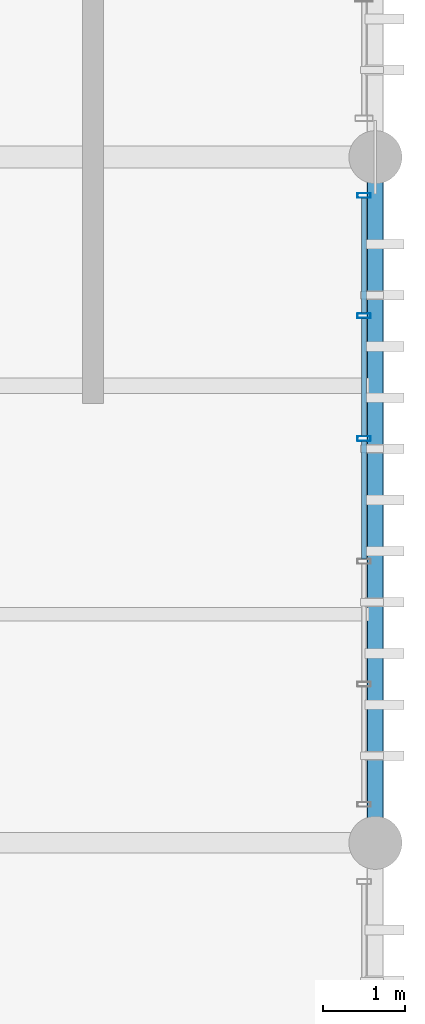
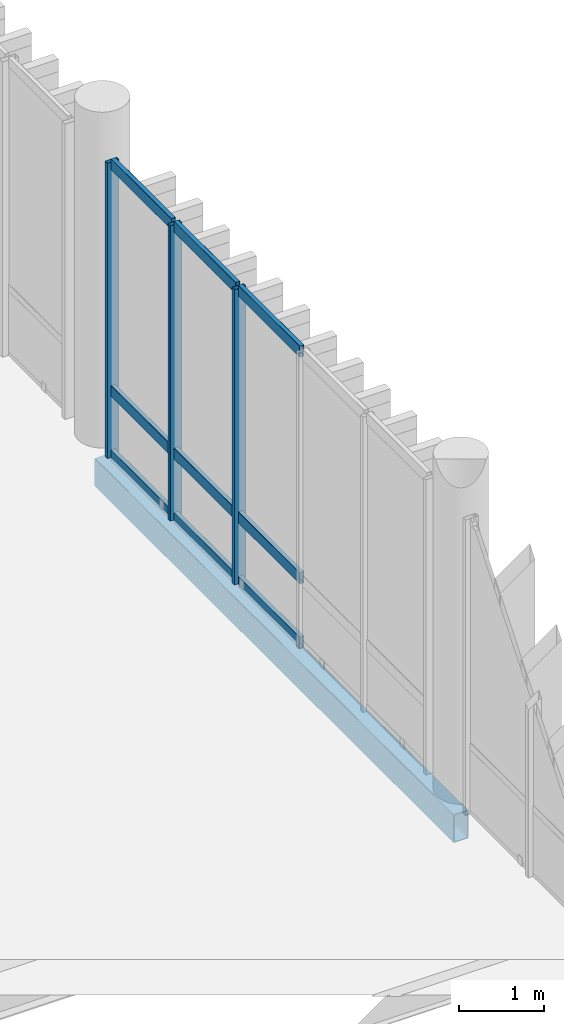
# One storey, part 51 of 86: 12 members, 1 beam, 1 element without a shape of its own.
"""IFC4 building model written with IfcOpenShell, lengths in metres."""

from ifc_helpers import new_model, si_unit, direction, frame, origin_with_axes, origin_2d_with_axis, place, context, subcontext, project, spatial, hollow_rectangle, extrude, material, material_profile, profile_set, type_object, element, aggregate, save


model = new_model("IFC4")

# Units and contexts
model_context = context("Model", 3, precision=1e-05, world=origin_with_axes(), true_north=direction((0.0, 1.0)))
body_context = subcontext(model_context, "Body", "Model", "MODEL_VIEW")
ifc_project = project(units=[si_unit("LENGTHUNIT", "METRE"), si_unit("AREAUNIT", "SQUARE_METRE"), si_unit("VOLUMEUNIT", "CUBIC_METRE"), si_unit("PLANEANGLEUNIT", "RADIAN"), si_unit("MASSUNIT", "GRAM", prefix="KILO"), si_unit("THERMODYNAMICTEMPERATUREUNIT", "KELVIN")], contexts=[model_context])

# Site, building, storey
site_placement = place(None, origin_with_axes())
site = spatial("IfcSite", under=ifc_project, at=site_placement, CompositionType="ELEMENT")
building_placement = place(site_placement, origin_with_axes())
building = spatial("IfcBuilding", under=site, at=building_placement, Name="Montbau Bow Law Courts", CompositionType="ELEMENT")
storey_placement = place(building_placement, frame((0.0, 0.0, 29.7), z_axis=(0.0, 0.0, 1.0), x_axis=(1.0, 0.0, 0.0)))
storey = spatial("IfcBuildingStorey", under=building, at=storey_placement, Name="L06", CompositionType="ELEMENT", Elevation=29.7)

# Beam
ifc_material_1 = material(Name="Steel CSA G40.21 Grade 350WT (350 MPa)", Category="steel")
ifc_material_profile_1 = material_profile(ifc_material_1, hollow_rectangle(XDim=0.203, YDim=0.406, WallThickness=0.0127, InnerFilletRadius=0.0254, OuterFilletRadius=0.0127, at=origin_2d_with_axis()), Name="HSS406X203X13", Category="Main", Priority=0)
ifc_profile_set_1 = profile_set([ifc_material_profile_1], Name="Steel CSA G40.21 Grade 350WT (350 MPa)")
beam_type = type_object("IfcBeamType", Name="B-SPN-01", PredefinedType="SPANDREL", material=ifc_profile_set_1)
beam_placement = place(None, frame((169.4, 86.4, 29.157), z_axis=(0.0, 1.0, 0.0), x_axis=(-1.0, 0.0, 0.0)))
element("IfcBeam", 1, at=beam_placement, inside=storey, type_object=beam_type, Name="SPN-L06-S1335:bm2_1338", PredefinedType="SPANDREL", context=body_context, shape_type="SweptSolid", body=[
    extrude(hollow_rectangle(XDim=0.203, YDim=0.406, WallThickness=0.0127, InnerFilletRadius=0.0254, OuterFilletRadius=0.0127, at=origin_2d_with_axis()), origin_with_axes(), (0.0, 0.0, 1.0), 8.4),
])

# Curtain wall, members
ifc_material_2 = material(Name="Thermally Broken Extruded Aluminium AA 6063-T6", Category="aluminium")
curtain_wall_type = type_object("IfcCurtainWallType", Name="CW-SLT-02", PredefinedType="NOTDEFINED", material=ifc_material_2)
curtain_wall_placement = place(None, frame((169.26, 86.84, 29.7), z_axis=(0.0, 0.0, 1.0), x_axis=(1.0, 0.0, 0.0)))
curtain_wall = element("IfcCurtainWall", 2, at=curtain_wall_placement, inside=storey, type_object=curtain_wall_type, Name="CW-L06-362:cw_0362", PredefinedType="NOTDEFINED")
ifc_material_profile_2 = material_profile(ifc_material_2, hollow_rectangle(XDim=0.06, YDim=0.16, WallThickness=0.004, InnerFilletRadius=0.008, OuterFilletRadius=0.004, at=origin_2d_with_axis()), Name="CWM-160X60", Category="Main", Priority=0)
ifc_profile_set_2 = profile_set([ifc_material_profile_2], Name="Thermally Broken Extruded Aluminium AA 6063-T6")
member_type_1 = type_object("IfcMemberType", Name="M-MUL-03", PredefinedType="MULLION", material=ifc_profile_set_2)
member_1_placement = place(None, frame((169.26, 91.352, 29.7), z_axis=(0.0, 0.0, 1.0), x_axis=(0.0, 1.0, 0.0)))
member_1 = element("IfcMember", 3, at=member_1_placement, type_object=member_type_1, Name="CW-L06-362-M04:cw_0362_M04", PredefinedType="MULLION", context=body_context, shape_type="SweptSolid", body=[
    extrude(hollow_rectangle(XDim=0.06, YDim=0.16, WallThickness=0.004, InnerFilletRadius=0.008, OuterFilletRadius=0.004, at=origin_2d_with_axis()), origin_with_axes(), (0.0, 0.0, 1.0), 4.22),
])
member_2_placement = place(None, frame((169.26, 92.856, 29.7), z_axis=(0.0, 0.0, 1.0), x_axis=(0.0, 1.0, 0.0)))
member_2 = element("IfcMember", 4, at=member_2_placement, type_object=member_type_1, Name="CW-L06-362-M05:cw_0362_M05", PredefinedType="MULLION", context=body_context, shape_type="SweptSolid", body=[
    extrude(hollow_rectangle(XDim=0.06, YDim=0.16, WallThickness=0.004, InnerFilletRadius=0.008, OuterFilletRadius=0.004, at=origin_2d_with_axis()), origin_with_axes(), (0.0, 0.0, 1.0), 4.22),
])
member_3_placement = place(None, frame((169.26, 94.33, 29.7), z_axis=(0.0, 0.0, 1.0), x_axis=(0.0, 1.0, 0.0)))
member_3 = element("IfcMember", 5, at=member_3_placement, type_object=member_type_1, Name="CW-L06-362-M06:cw_0362_M06", PredefinedType="MULLION", context=body_context, shape_type="SweptSolid", body=[
    extrude(hollow_rectangle(XDim=0.06, YDim=0.16, WallThickness=0.004, InnerFilletRadius=0.008, OuterFilletRadius=0.004, at=origin_2d_with_axis()), origin_with_axes(), (0.0, 0.0, 1.0), 4.22),
])
ifc_material_profile_3 = material_profile(ifc_material_2, hollow_rectangle(XDim=0.06, YDim=0.16, WallThickness=0.004, InnerFilletRadius=0.008, OuterFilletRadius=0.004, at=origin_2d_with_axis()), Name="CWT-160X60", Category="Main", Priority=0)
ifc_profile_set_3 = profile_set([ifc_material_profile_3], Name="Thermally Broken Extruded Aluminium AA 6063-T6")
member_type_2 = type_object("IfcMemberType", Name="M-TRN-01", PredefinedType="USERDEFINED", material=ifc_profile_set_3)
member_4_placement = place(None, frame((169.26, 89.88, 29.73), z_axis=(0.0, 1.0, 0.0), x_axis=(-1.0, 0.0, 0.0)))
member_4 = element("IfcMember", 6, at=member_4_placement, type_object=member_type_2, Name="CW-L06-362-T03-1:cw_0362_T03_1", ObjectType="TRANSOM", PredefinedType="USERDEFINED", context=body_context, shape_type="SweptSolid", body=[
    extrude(hollow_rectangle(XDim=0.06, YDim=0.16, WallThickness=0.004, InnerFilletRadius=0.008, OuterFilletRadius=0.004, at=origin_2d_with_axis()), origin_with_axes(), (0.0, 0.0, 1.0), 1.44),
])
member_5_placement = place(None, frame((169.26, 89.88, 30.65), z_axis=(0.0, 1.0, 0.0), x_axis=(-1.0, 0.0, 0.0)))
member_5 = element("IfcMember", 7, at=member_5_placement, type_object=member_type_2, Name="CW-L06-362-T03-2:cw_0362_T03_2", ObjectType="TRANSOM", PredefinedType="USERDEFINED", context=body_context, shape_type="SweptSolid", body=[
    extrude(hollow_rectangle(XDim=0.06, YDim=0.16, WallThickness=0.004, InnerFilletRadius=0.008, OuterFilletRadius=0.004, at=origin_2d_with_axis()), origin_with_axes(), (0.0, 0.0, 1.0), 1.44),
])
member_6_placement = place(None, frame((169.26, 89.88, 33.89), z_axis=(0.0, 1.0, 0.0), x_axis=(-1.0, 0.0, 0.0)))
member_6 = element("IfcMember", 8, at=member_6_placement, type_object=member_type_2, Name="CW-L06-362-T03-3:cw_0362_T03_3", ObjectType="TRANSOM", PredefinedType="USERDEFINED", context=body_context, shape_type="SweptSolid", body=[
    extrude(hollow_rectangle(XDim=0.06, YDim=0.16, WallThickness=0.004, InnerFilletRadius=0.008, OuterFilletRadius=0.004, at=origin_2d_with_axis()), origin_with_axes(), (0.0, 0.0, 1.0), 1.44),
])
member_7_placement = place(None, frame((169.26, 91.384, 29.73), z_axis=(0.0, 1.0, 0.0), x_axis=(-1.0, 0.0, 0.0)))
member_7 = element("IfcMember", 9, at=member_7_placement, type_object=member_type_2, Name="CW-L06-362-T04-1:cw_0362_T04_1", ObjectType="TRANSOM", PredefinedType="USERDEFINED", context=body_context, shape_type="SweptSolid", body=[
    extrude(hollow_rectangle(XDim=0.06, YDim=0.16, WallThickness=0.004, InnerFilletRadius=0.008, OuterFilletRadius=0.004, at=origin_2d_with_axis()), origin_with_axes(), (0.0, 0.0, 1.0), 1.44),
])
member_8_placement = place(None, frame((169.26, 91.384, 30.65), z_axis=(0.0, 1.0, 0.0), x_axis=(-1.0, 0.0, 0.0)))
member_8 = element("IfcMember", 10, at=member_8_placement, type_object=member_type_2, Name="CW-L06-362-T04-2:cw_0362_T04_2", ObjectType="TRANSOM", PredefinedType="USERDEFINED", context=body_context, shape_type="SweptSolid", body=[
    extrude(hollow_rectangle(XDim=0.06, YDim=0.16, WallThickness=0.004, InnerFilletRadius=0.008, OuterFilletRadius=0.004, at=origin_2d_with_axis()), origin_with_axes(), (0.0, 0.0, 1.0), 1.44),
])
member_9_placement = place(None, frame((169.26, 91.384, 33.89), z_axis=(0.0, 1.0, 0.0), x_axis=(-1.0, 0.0, 0.0)))
member_9 = element("IfcMember", 11, at=member_9_placement, type_object=member_type_2, Name="CW-L06-362-T04-3:cw_0362_T04_3", ObjectType="TRANSOM", PredefinedType="USERDEFINED", context=body_context, shape_type="SweptSolid", body=[
    extrude(hollow_rectangle(XDim=0.06, YDim=0.16, WallThickness=0.004, InnerFilletRadius=0.008, OuterFilletRadius=0.004, at=origin_2d_with_axis()), origin_with_axes(), (0.0, 0.0, 1.0), 1.44),
])
member_10_placement = place(None, frame((169.26, 92.888, 29.73), z_axis=(0.0, 1.0, 0.0), x_axis=(-1.0, 0.0, 0.0)))
member_10 = element("IfcMember", 12, at=member_10_placement, type_object=member_type_2, Name="CW-L06-362-T05-1:cw_0362_T05_1", ObjectType="TRANSOM", PredefinedType="USERDEFINED", context=body_context, shape_type="SweptSolid", body=[
    extrude(hollow_rectangle(XDim=0.06, YDim=0.16, WallThickness=0.004, InnerFilletRadius=0.008, OuterFilletRadius=0.004, at=origin_2d_with_axis()), origin_with_axes(), (0.0, 0.0, 1.0), 1.41),
])
member_11_placement = place(None, frame((169.26, 92.888, 30.65), z_axis=(0.0, 1.0, 0.0), x_axis=(-1.0, 0.0, 0.0)))
member_11 = element("IfcMember", 13, at=member_11_placement, type_object=member_type_2, Name="CW-L06-362-T05-2:cw_0362_T05_2", ObjectType="TRANSOM", PredefinedType="USERDEFINED", context=body_context, shape_type="SweptSolid", body=[
    extrude(hollow_rectangle(XDim=0.06, YDim=0.16, WallThickness=0.004, InnerFilletRadius=0.008, OuterFilletRadius=0.004, at=origin_2d_with_axis()), origin_with_axes(), (0.0, 0.0, 1.0), 1.41),
])
member_12_placement = place(None, frame((169.26, 92.888, 33.89), z_axis=(0.0, 1.0, 0.0), x_axis=(-1.0, 0.0, 0.0)))
member_12 = element("IfcMember", 14, at=member_12_placement, type_object=member_type_2, Name="CW-L06-362-T05-3:cw_0362_T05_3", ObjectType="TRANSOM", PredefinedType="USERDEFINED", context=body_context, shape_type="SweptSolid", body=[
    extrude(hollow_rectangle(XDim=0.06, YDim=0.16, WallThickness=0.004, InnerFilletRadius=0.008, OuterFilletRadius=0.004, at=origin_2d_with_axis()), origin_with_axes(), (0.0, 0.0, 1.0), 1.41),
])
aggregate(curtain_wall, [member_1, member_2, member_3, member_4, member_5, member_6, member_7, member_8, member_9, member_10, member_11, member_12])

save(model, "model.ifc")
